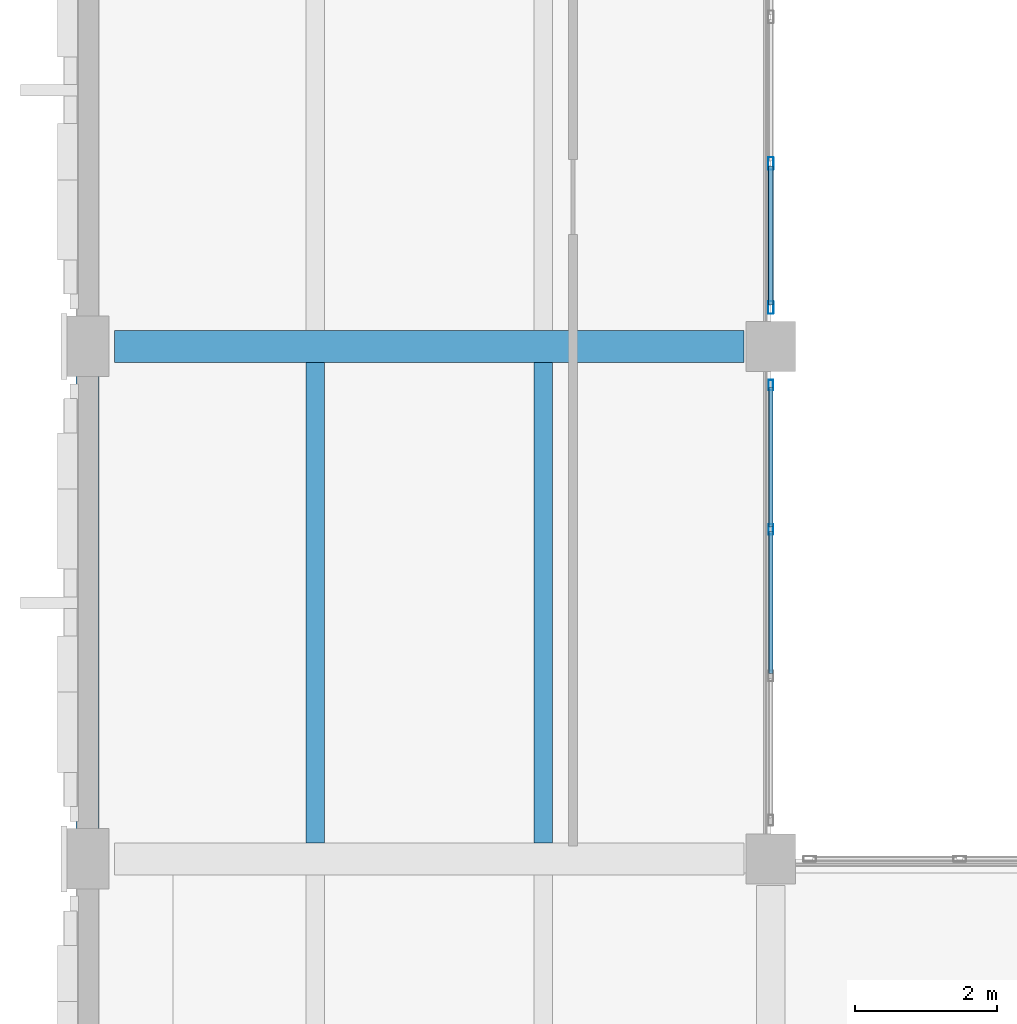
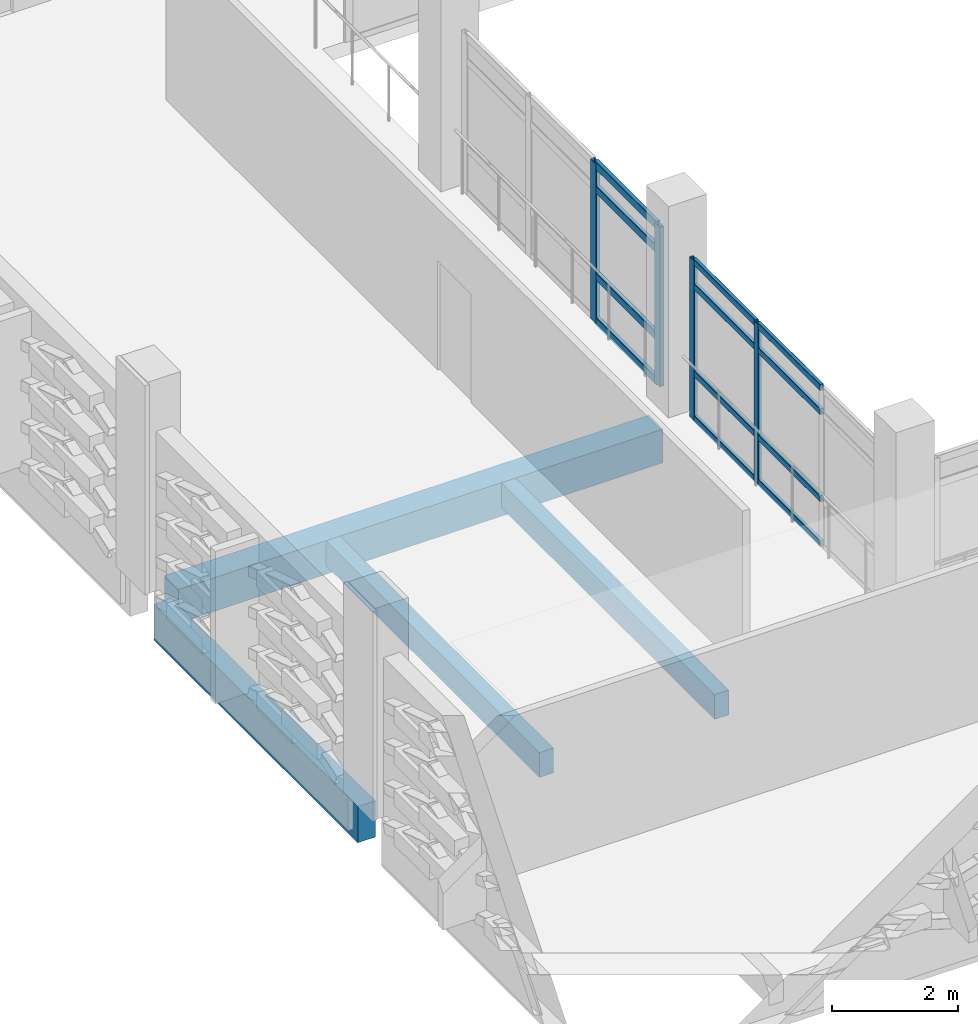
# One storey, part 42 of 134: 16 members, 4 beams, 2 elements without a shape of their own.
"""IFC4 building model written with IfcOpenShell, lengths in metres."""

from ifc_helpers import new_model, si_unit, direction, frame, origin, origin_2d, place, context, subcontext, project, spatial, rectangle, hollow_rectangle, extrude, material, layer, layer_set, material_profile, profile_set, type_object, element, aggregate, save


model = new_model("IFC4")

# Units and contexts
model_context = context("Model", 3, precision=1e-05, world=origin(), true_north=direction((0.0, 1.0)))
body_context = subcontext(model_context, "Body", "Model", "MODEL_VIEW")
ifc_project = project(units=[si_unit("LENGTHUNIT", "METRE"), si_unit("AREAUNIT", "SQUARE_METRE"), si_unit("VOLUMEUNIT", "CUBIC_METRE"), si_unit("PLANEANGLEUNIT", "RADIAN"), si_unit("MASSUNIT", "GRAM", prefix="KILO")], contexts=[model_context])

# Site, building, storey
site_placement = place(None, origin())
site = spatial("IfcSite", under=ifc_project, at=site_placement, CompositionType="ELEMENT")
building_placement = place(site_placement, origin())
building = spatial("IfcBuilding", under=site, at=building_placement, Name="Asteropetra Specialist Clinic", CompositionType="ELEMENT")
storey_placement = place(building_placement, frame((0.0, 0.0, 8.5)))
storey = spatial("IfcBuildingStorey", under=building, at=storey_placement, Name="L02", CompositionType="ELEMENT", Elevation=8.5)

# Beam
ifc_material_1 = material(Name="Concrete C35/45", Category="concrete")
ifc_material_profile_1 = material_profile(ifc_material_1, rectangle(XDim=0.449951171875, YDim=0.64990234375, at=origin_2d()), Name="RCB 450x650")
ifc_profile_set_1 = profile_set([ifc_material_profile_1], Name="Concrete C35/45")
beam_type_1 = type_object("IfcBeamType", Name="BM-RC450x650", PredefinedType="BEAM", material=ifc_profile_set_1)
beam_1_placement = place(storey_placement, frame((0.375, 84.0, -0.60498046875), z_axis=(1.0, 0.0, 0.0), x_axis=(0.0, 1.0, 0.0)))
element("IfcBeam", 1, at=beam_1_placement, inside=storey, type_object=beam_type_1, Name="Beam BBM06-1249", PredefinedType="BEAM", context=body_context, shape_type="SweptSolid", body=[
    extrude(rectangle(XDim=0.449951171875, YDim=0.64990234375, at=origin_2d()), origin(), (0.0, 0.0, 1.0), 8.85009765625),
])

# Curtain wall, members
ifc_material_2 = material(Name="Aluminium and low-E glass", Category="aluminium")
ifc_layer_1 = layer(ifc_material_2, 0.179931640625)
ifc_layer_set_1 = layer_set([ifc_layer_1], Name="Aluminium and low-E glass")
curtain_wall_type_1 = type_object("IfcCurtainWallType", Name="CW-SYS-04", PredefinedType="USERDEFINED", material=ifc_layer_set_1)
curtain_wall_1_placement = place(storey_placement, origin())
curtain_wall_1 = element("IfcCurtainWall", 2, at=curtain_wall_1_placement, inside=storey, type_object=curtain_wall_type_1, Name="Curtain Wall CW-037", ObjectType="UNITISED CURTAIN WALL", PredefinedType="USERDEFINED")
ifc_material_3 = material(Name="Aluminium 6063-T6", Category="aluminium")
ifc_material_profile_2 = material_profile(ifc_material_3, hollow_rectangle(XDim=0.06494140625, YDim=0.14990234375, WallThickness=0.00390625, InnerFilletRadius=0.00390625, OuterFilletRadius=0.008056640625, at=origin_2d()), Name="MUL 150x65x4.0")
ifc_profile_set_2 = profile_set([ifc_material_profile_2], Name="Aluminium 6063-T6")
member_type_1 = type_object("IfcMemberType", Name="CWM-150x65", PredefinedType="MULLION", material=ifc_profile_set_2)
member_1_placement = place(storey_placement, frame((9.60009765625, 83.45751953125, 0.0), z_axis=(0.0, 0.0, 1.0), x_axis=(1.0, 0.0, 0.0)))
member_1 = element("IfcMember", 3, at=member_1_placement, type_object=member_type_1, Name="CW-037 mullion 1", PredefinedType="MULLION", context=body_context, shape_type="SweptSolid", body=[
    extrude(hollow_rectangle(XDim=0.06494140625, YDim=0.14990234375, WallThickness=0.00390625, InnerFilletRadius=0.00390625, OuterFilletRadius=0.008056640625, at=origin_2d()), origin(), (0.0, 0.0, 1.0), 3.080078125),
])
member_2_placement = place(storey_placement, frame((9.60009765625, 81.429931640625, 0.0), z_axis=(0.0, 0.0, 1.0), x_axis=(1.0, 0.0, 0.0)))
member_2 = element("IfcMember", 4, at=member_2_placement, type_object=member_type_1, Name="CW-037 mullion 2", PredefinedType="MULLION", context=body_context, shape_type="SweptSolid", body=[
    extrude(hollow_rectangle(XDim=0.06494140625, YDim=0.14990234375, WallThickness=0.00390625, InnerFilletRadius=0.00390625, OuterFilletRadius=0.008056640625, at=origin_2d()), origin(), (0.0, 0.0, 1.0), 3.080078125),
])

ifc_material_4 = material(Name="Aluminium and low-E glass", Category="aluminium")
ifc_layer_2 = layer(ifc_material_4, 0.14990234375)
ifc_layer_set_2 = layer_set([ifc_layer_2], Name="Aluminium and low-E glass")
curtain_wall_type_2 = type_object("IfcCurtainWallType", Name="CW-SYS-05", PredefinedType="USERDEFINED", material=ifc_layer_set_2)
curtain_wall_2_placement = place(storey_placement, origin())
curtain_wall_2 = element("IfcCurtainWall", 5, at=curtain_wall_2_placement, inside=storey, type_object=curtain_wall_type_2, Name="Curtain Wall CW-039", ObjectType="UNITISED CURTAIN WALL", PredefinedType="USERDEFINED")
ifc_material_5 = material(Name="Aluminium 6063-T6", Category="aluminium")
ifc_material_profile_3 = material_profile(ifc_material_5, hollow_rectangle(XDim=0.074951171875, YDim=0.179931640625, WallThickness=0.00390625, InnerFilletRadius=0.00390625, OuterFilletRadius=0.008056640625, at=origin_2d()), Name="MUL 180x75x4.0")
ifc_profile_set_3 = profile_set([ifc_material_profile_3], Name="Aluminium 6063-T6")
member_type_2 = type_object("IfcMemberType", Name="CWM-180x75", PredefinedType="MULLION", material=ifc_profile_set_3)
member_3_placement = place(storey_placement, frame((9.60009765625, 86.570068359375, 0.0), z_axis=(0.0, 0.0, 1.0), x_axis=(1.0, 0.0, 0.0)))
member_3 = element("IfcMember", 6, at=member_3_placement, type_object=member_type_2, Name="CW-039 mullion 3", PredefinedType="MULLION", context=body_context, shape_type="SweptSolid", body=[
    extrude(hollow_rectangle(XDim=0.074951171875, YDim=0.179931640625, WallThickness=0.00390625, InnerFilletRadius=0.00390625, OuterFilletRadius=0.008056640625, at=origin_2d()), origin(), (0.0, 0.0, 1.0), 3.080078125),
])
member_4_placement = place(storey_placement, frame((9.60009765625, 84.547607421875, 0.0), z_axis=(0.0, 0.0, 1.0), x_axis=(1.0, 0.0, 0.0)))
member_4 = element("IfcMember", 7, at=member_4_placement, type_object=member_type_2, Name="CW-039 mullion 4", PredefinedType="MULLION", context=body_context, shape_type="SweptSolid", body=[
    extrude(hollow_rectangle(XDim=0.074951171875, YDim=0.179931640625, WallThickness=0.00390625, InnerFilletRadius=0.00390625, OuterFilletRadius=0.008056640625, at=origin_2d()), origin(), (0.0, 0.0, 1.0), 3.080078125),
])

# Member
ifc_material_6 = material(Name="Aluminium 6063-T6", Category="aluminium")
ifc_material_profile_4 = material_profile(ifc_material_6, hollow_rectangle(XDim=0.06494140625, YDim=0.1201171875, WallThickness=0.00390625, InnerFilletRadius=0.00390625, OuterFilletRadius=0.008056640625, at=origin_2d()), Name="TRN 120x65x4.0")
ifc_profile_set_4 = profile_set([ifc_material_profile_4], Name="Aluminium 6063-T6")
member_type_3 = type_object("IfcMemberType", Name="CWT-120x65", PredefinedType="USERDEFINED", material=ifc_profile_set_4)
member_5_placement = place(storey_placement, frame((9.60009765625, 83.425048828125, 0.032470703125), z_axis=(0.0, -1.0, 0.0), x_axis=(1.0, 0.0, 0.0)))
member_5 = element("IfcMember", 8, at=member_5_placement, type_object=member_type_3, Name="CW-037 transom 1.1", ObjectType="TRANSOM", PredefinedType="USERDEFINED", context=body_context, shape_type="SweptSolid", body=[
    extrude(hollow_rectangle(XDim=0.06494140625, YDim=0.1201171875, WallThickness=0.00390625, InnerFilletRadius=0.00390625, OuterFilletRadius=0.008056640625, at=origin_2d()), origin(), (0.0, 0.0, 1.0), 1.962646484375),
])

member_6_placement = place(storey_placement, frame((9.60009765625, 83.425048828125, 0.89990234375), z_axis=(0.0, -1.0, 0.0), x_axis=(1.0, 0.0, 0.0)))
member_6 = element("IfcMember", 9, at=member_6_placement, type_object=member_type_3, Name="CW-037 transom 1.2", ObjectType="TRANSOM", PredefinedType="USERDEFINED", context=body_context, shape_type="SweptSolid", body=[
    extrude(hollow_rectangle(XDim=0.06494140625, YDim=0.1201171875, WallThickness=0.00390625, InnerFilletRadius=0.00390625, OuterFilletRadius=0.008056640625, at=origin_2d()), origin(), (0.0, 0.0, 1.0), 1.962646484375),
])

member_7_placement = place(storey_placement, frame((9.60009765625, 83.425048828125, 2.580078125), z_axis=(0.0, -1.0, 0.0), x_axis=(1.0, 0.0, 0.0)))
member_7 = element("IfcMember", 10, at=member_7_placement, type_object=member_type_3, Name="CW-037 transom 1.3", ObjectType="TRANSOM", PredefinedType="USERDEFINED", context=body_context, shape_type="SweptSolid", body=[
    extrude(hollow_rectangle(XDim=0.06494140625, YDim=0.1201171875, WallThickness=0.00390625, InnerFilletRadius=0.00390625, OuterFilletRadius=0.008056640625, at=origin_2d()), origin(), (0.0, 0.0, 1.0), 1.962646484375),
])

member_8_placement = place(storey_placement, frame((9.60009765625, 83.425048828125, 3.047607421875), z_axis=(0.0, -1.0, 0.0), x_axis=(1.0, 0.0, 0.0)))
member_8 = element("IfcMember", 11, at=member_8_placement, type_object=member_type_3, Name="CW-037 transom 1.4", ObjectType="TRANSOM", PredefinedType="USERDEFINED", context=body_context, shape_type="SweptSolid", body=[
    extrude(hollow_rectangle(XDim=0.06494140625, YDim=0.1201171875, WallThickness=0.00390625, InnerFilletRadius=0.00390625, OuterFilletRadius=0.008056640625, at=origin_2d()), origin(), (0.0, 0.0, 1.0), 1.962646484375),
])

member_9_placement = place(storey_placement, frame((9.60009765625, 81.3974609375, 0.032470703125), z_axis=(0.0, -1.0, 0.0), x_axis=(1.0, 0.0, 0.0)))
member_9 = element("IfcMember", 12, at=member_9_placement, type_object=member_type_3, Name="CW-037 transom 2.1", ObjectType="TRANSOM", PredefinedType="USERDEFINED", context=body_context, shape_type="SweptSolid", body=[
    extrude(hollow_rectangle(XDim=0.06494140625, YDim=0.1201171875, WallThickness=0.00390625, InnerFilletRadius=0.00390625, OuterFilletRadius=0.008056640625, at=origin_2d()), origin(), (0.0, 0.0, 1.0), 1.994873046875),
])

member_10_placement = place(storey_placement, frame((9.60009765625, 81.3974609375, 0.89990234375), z_axis=(0.0, -1.0, 0.0), x_axis=(1.0, 0.0, 0.0)))
member_10 = element("IfcMember", 13, at=member_10_placement, type_object=member_type_3, Name="CW-037 transom 2.2", ObjectType="TRANSOM", PredefinedType="USERDEFINED", context=body_context, shape_type="SweptSolid", body=[
    extrude(hollow_rectangle(XDim=0.06494140625, YDim=0.1201171875, WallThickness=0.00390625, InnerFilletRadius=0.00390625, OuterFilletRadius=0.008056640625, at=origin_2d()), origin(), (0.0, 0.0, 1.0), 1.994873046875),
])

member_11_placement = place(storey_placement, frame((9.60009765625, 81.3974609375, 2.580078125), z_axis=(0.0, -1.0, 0.0), x_axis=(1.0, 0.0, 0.0)))
member_11 = element("IfcMember", 14, at=member_11_placement, type_object=member_type_3, Name="CW-037 transom 2.3", ObjectType="TRANSOM", PredefinedType="USERDEFINED", context=body_context, shape_type="SweptSolid", body=[
    extrude(hollow_rectangle(XDim=0.06494140625, YDim=0.1201171875, WallThickness=0.00390625, InnerFilletRadius=0.00390625, OuterFilletRadius=0.008056640625, at=origin_2d()), origin(), (0.0, 0.0, 1.0), 1.994873046875),
])

member_12_placement = place(storey_placement, frame((9.60009765625, 81.3974609375, 3.047607421875), z_axis=(0.0, -1.0, 0.0), x_axis=(1.0, 0.0, 0.0)))
member_12 = element("IfcMember", 15, at=member_12_placement, type_object=member_type_3, Name="CW-037 transom 2.4", ObjectType="TRANSOM", PredefinedType="USERDEFINED", context=body_context, shape_type="SweptSolid", body=[
    extrude(hollow_rectangle(XDim=0.06494140625, YDim=0.1201171875, WallThickness=0.00390625, InnerFilletRadius=0.00390625, OuterFilletRadius=0.008056640625, at=origin_2d()), origin(), (0.0, 0.0, 1.0), 1.994873046875),
])

aggregate(curtain_wall_1, [member_1, member_2, member_5, member_6, member_7, member_8, member_9, member_10, member_11, member_12])

ifc_material_7 = material(Name="Aluminium 6063-T6", Category="aluminium")
ifc_material_profile_5 = material_profile(ifc_material_7, hollow_rectangle(XDim=0.074951171875, YDim=0.14990234375, WallThickness=0.00390625, InnerFilletRadius=0.00390625, OuterFilletRadius=0.008056640625, at=origin_2d()), Name="TRN 150x75x4.0")
ifc_profile_set_5 = profile_set([ifc_material_profile_5], Name="Aluminium 6063-T6")
member_type_4 = type_object("IfcMemberType", Name="CWT-150x75", PredefinedType="USERDEFINED", material=ifc_profile_set_5)
member_13_placement = place(storey_placement, frame((9.60009765625, 86.532470703125, 0.03759765625), z_axis=(0.0, -1.0, 0.0), x_axis=(1.0, 0.0, 0.0)))
member_13 = element("IfcMember", 16, at=member_13_placement, type_object=member_type_4, Name="CW-039 transom 3.1", ObjectType="TRANSOM", PredefinedType="USERDEFINED", context=body_context, shape_type="SweptSolid", body=[
    extrude(hollow_rectangle(XDim=0.074951171875, YDim=0.14990234375, WallThickness=0.00390625, InnerFilletRadius=0.00390625, OuterFilletRadius=0.008056640625, at=origin_2d()), origin(), (0.0, 0.0, 1.0), 1.947509765625),
])

member_14_placement = place(storey_placement, frame((9.60009765625, 86.532470703125, 0.89990234375), z_axis=(0.0, -1.0, 0.0), x_axis=(1.0, 0.0, 0.0)))
member_14 = element("IfcMember", 17, at=member_14_placement, type_object=member_type_4, Name="CW-039 transom 3.2", ObjectType="TRANSOM", PredefinedType="USERDEFINED", context=body_context, shape_type="SweptSolid", body=[
    extrude(hollow_rectangle(XDim=0.074951171875, YDim=0.14990234375, WallThickness=0.00390625, InnerFilletRadius=0.00390625, OuterFilletRadius=0.008056640625, at=origin_2d()), origin(), (0.0, 0.0, 1.0), 1.947509765625),
])

member_15_placement = place(storey_placement, frame((9.60009765625, 86.532470703125, 2.580078125), z_axis=(0.0, -1.0, 0.0), x_axis=(1.0, 0.0, 0.0)))
member_15 = element("IfcMember", 18, at=member_15_placement, type_object=member_type_4, Name="CW-039 transom 3.3", ObjectType="TRANSOM", PredefinedType="USERDEFINED", context=body_context, shape_type="SweptSolid", body=[
    extrude(hollow_rectangle(XDim=0.074951171875, YDim=0.14990234375, WallThickness=0.00390625, InnerFilletRadius=0.00390625, OuterFilletRadius=0.008056640625, at=origin_2d()), origin(), (0.0, 0.0, 1.0), 1.947509765625),
])

member_16_placement = place(storey_placement, frame((9.60009765625, 86.532470703125, 3.04248046875), z_axis=(0.0, -1.0, 0.0), x_axis=(1.0, 0.0, 0.0)))
member_16 = element("IfcMember", 19, at=member_16_placement, type_object=member_type_4, Name="CW-039 transom 3.4", ObjectType="TRANSOM", PredefinedType="USERDEFINED", context=body_context, shape_type="SweptSolid", body=[
    extrude(hollow_rectangle(XDim=0.074951171875, YDim=0.14990234375, WallThickness=0.00390625, InnerFilletRadius=0.00390625, OuterFilletRadius=0.008056640625, at=origin_2d()), origin(), (0.0, 0.0, 1.0), 1.947509765625),
])

aggregate(curtain_wall_2, [member_3, member_4, member_13, member_14, member_15, member_16])

# Beams
ifc_material_8 = material(Name="Concrete C35/45", Category="concrete")
ifc_material_profile_6 = material_profile(ifc_material_8, rectangle(XDim=0.260009765625, YDim=0.47998046875, at=origin_2d()), Name="RCJ 260x480")
ifc_profile_set_6 = profile_set([ifc_material_profile_6], Name="Concrete C35/45")
beam_type_2 = type_object("IfcBeamType", Name="JST-RC260x480", PredefinedType="JOIST", material=ifc_profile_set_6)
for number, where, z_axis, x_axis, name in (
    (20, (3.199951171875, 77.02490234375, -0.52001953125), (0.0, 1.0, 0.0), (-1.0, 0.0, 0.0), "Joist JJST02-1282"),
    (21, (6.39990234375, 77.02490234375, -0.52001953125), (0.0, 1.0, 0.0), (-1.0, 0.0, 0.0), "Joist JJST02-1283"),
):
    element("IfcBeam", number, at=place(storey_placement, frame(where, z_axis=z_axis, x_axis=x_axis)), inside=storey, type_object=beam_type_2, Name=name, PredefinedType="JOIST", context=body_context, shape_type="SweptSolid", body=[
        extrude(rectangle(XDim=0.260009765625, YDim=0.47998046875, at=origin_2d()), origin(), (0.0, 0.0, 1.0), 6.75),
    ])
ifc_material_9 = material(Name="Concrete C35/45", Category="concrete")
ifc_material_profile_7 = material_profile(ifc_material_9, rectangle(XDim=0.320068359375, YDim=0.699951171875, at=origin_2d()), Name="RCS 320x700")
ifc_profile_set_7 = profile_set([ifc_material_profile_7], Name="Concrete C35/45")
beam_type_3 = type_object("IfcBeamType", Name="SPN-RC320x700", PredefinedType="SPANDREL", material=ifc_profile_set_7)
beam_2_placement = place(storey_placement, frame((0.0, 77.175048828125, -0.6298828125), z_axis=(0.0, 1.0, 0.0), x_axis=(-1.0, 0.0, 0.0)))
element("IfcBeam", 22, at=beam_2_placement, inside=storey, type_object=beam_type_3, Name="Beam BSPN02-1279", PredefinedType="SPANDREL", context=body_context, shape_type="SweptSolid", body=[
    extrude(rectangle(XDim=0.320068359375, YDim=0.699951171875, at=origin_2d()), origin(), (0.0, 0.0, 1.0), 6.449951171875),
])

save(model, "model.ifc")
